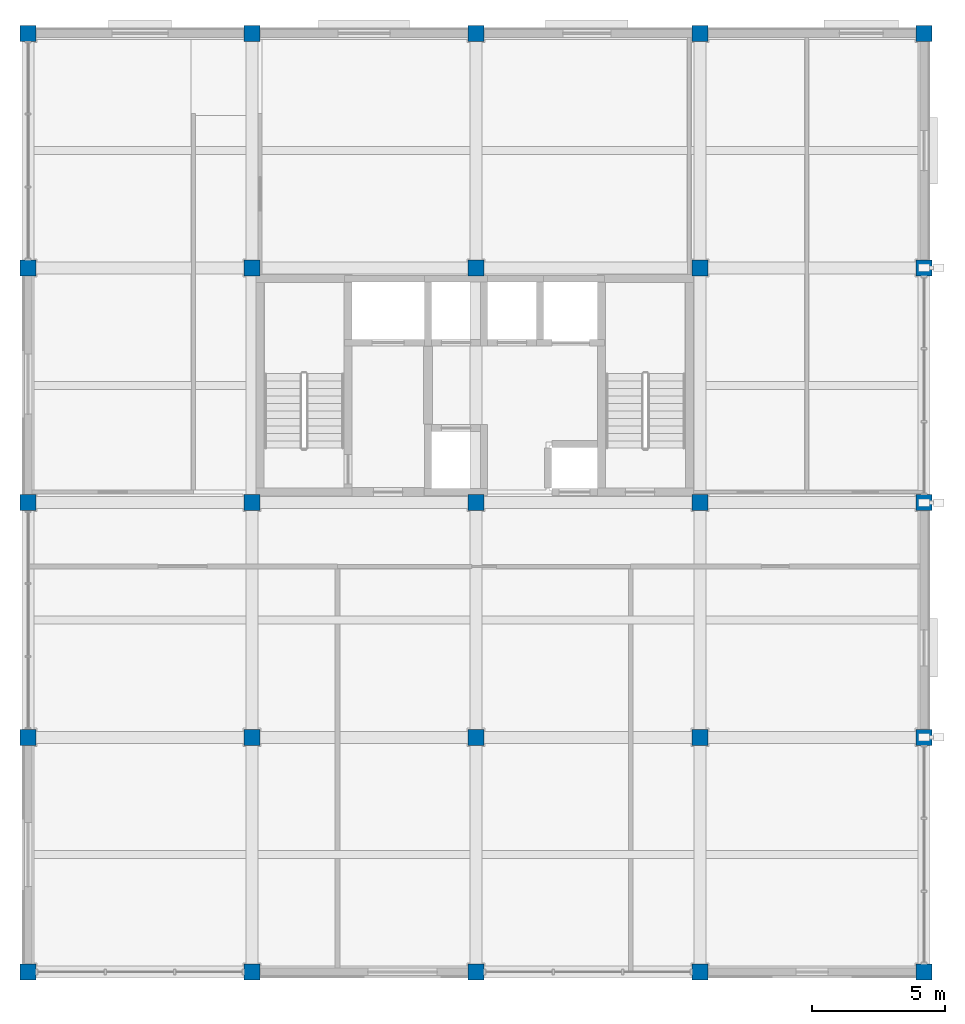
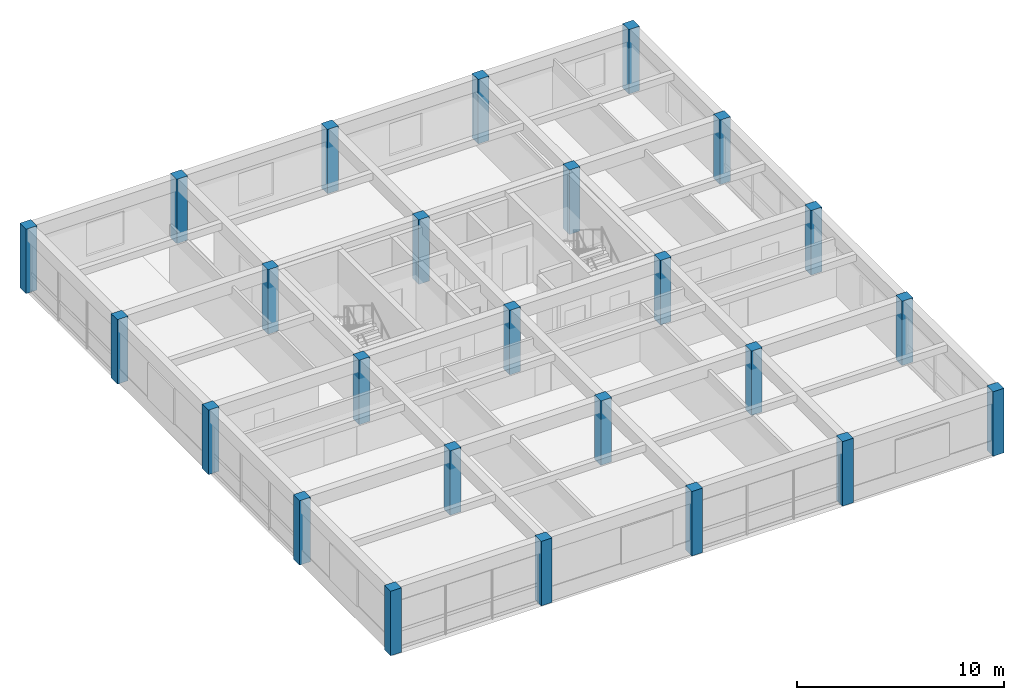
# One storey, part 1 of 12: 25 columns.
"""IFC4 building model written with IfcOpenShell, lengths in metres."""

from ifc_helpers import new_model, si_unit, direction, frame, origin, origin_2d, place, context, subcontext, project, spatial, rectangle, extrude, material, material_profile, profile_set, type_object, element, save


model = new_model("IFC4")

# Units and contexts
model_context = context("Model", 3, precision=1e-05, world=origin(), true_north=direction((0.0, 1.0)))
body_context = subcontext(model_context, "Body", "Model", "MODEL_VIEW")
ifc_project = project(units=[si_unit("LENGTHUNIT", "METRE"), si_unit("AREAUNIT", "SQUARE_METRE"), si_unit("VOLUMEUNIT", "CUBIC_METRE"), si_unit("PLANEANGLEUNIT", "RADIAN"), si_unit("MASSUNIT", "GRAM", prefix="KILO")], contexts=[model_context])

# Site, building, storey
site_placement = place(None, origin())
site = spatial("IfcSite", under=ifc_project, at=site_placement, CompositionType="ELEMENT")
building_placement = place(site_placement, origin())
building = spatial("IfcBuilding", under=site, at=building_placement, Name="Kemercrest Conservatory and Botanical Centre", CompositionType="ELEMENT")
storey_placement = place(building_placement, frame((0.0, 0.0, 52.199951171875)))
storey = spatial("IfcBuildingStorey", under=building, at=storey_placement, Name="L13", CompositionType="ELEMENT", Elevation=52.199951171875)

# Columns
ifc_material = material(Name="Concrete C40/50", Category="concrete")
ifc_material_profile = material_profile(ifc_material, rectangle(XDim=0.60009765625, YDim=0.60009765625, at=origin_2d()), Name="RC 600x600")
ifc_profile_set = profile_set([ifc_material_profile], Name="Concrete C40/50")
column_type = type_object("IfcColumnType", Name="C-RC60", PredefinedType="COLUMN", material=ifc_profile_set)
for number, where, z_axis, x_axis, name in (
    (1, (142.39990234375, 87.199951171875, 0.0), (0.0, 0.0, 1.0), (1.0, 0.0, 0.0), "Tower column C-RC60 17/K"),
    (2, (142.39990234375, 96.0, 0.0), (0.0, 0.0, 1.0), (1.0, 0.0, 0.0), "Tower column C-RC60 17/L"),
    (3, (142.39990234375, 104.800048828125, 0.0), (0.0, 0.0, 1.0), (1.0, 0.0, 0.0), "Tower column C-RC60 17/M"),
    (4, (142.39990234375, 113.60009765625, 0.0), (0.0, 0.0, 1.0), (1.0, 0.0, 0.0), "Tower column C-RC60 17/N"),
    (5, (142.39990234375, 122.39990234375, 0.0), (0.0, 0.0, 1.0), (1.0, 0.0, 0.0), "Tower column C-RC60 17/P"),
    (6, (150.800048828125, 87.199951171875, 0.0), (0.0, 0.0, 1.0), (1.0, 0.0, 0.0), "Tower column C-RC60 18/K"),
    (7, (150.800048828125, 96.0, 0.0), (0.0, 0.0, 1.0), (1.0, 0.0, 0.0), "Tower column C-RC60 18/L"),
    (8, (150.800048828125, 104.800048828125, 0.0), (0.0, 0.0, 1.0), (1.0, 0.0, 0.0), "Tower column C-RC60 18/M"),
    (9, (150.800048828125, 113.60009765625, 0.0), (0.0, 0.0, 1.0), (1.0, 0.0, 0.0), "Tower column C-RC60 18/N"),
    (10, (150.800048828125, 122.39990234375, 0.0), (0.0, 0.0, 1.0), (1.0, 0.0, 0.0), "Tower column C-RC60 18/P"),
    (11, (159.199951171875, 87.199951171875, 0.0), (0.0, 0.0, 1.0), (1.0, 0.0, 0.0), "Tower column C-RC60 19/K"),
    (12, (159.199951171875, 96.0, 0.0), (0.0, 0.0, 1.0), (1.0, 0.0, 0.0), "Tower column C-RC60 19/L"),
    (13, (159.199951171875, 104.800048828125, 0.0), (0.0, 0.0, 1.0), (1.0, 0.0, 0.0), "Tower column C-RC60 19/M"),
    (14, (159.199951171875, 113.60009765625, 0.0), (0.0, 0.0, 1.0), (1.0, 0.0, 0.0), "Tower column C-RC60 19/N"),
    (15, (159.199951171875, 122.39990234375, 0.0), (0.0, 0.0, 1.0), (1.0, 0.0, 0.0), "Tower column C-RC60 19/P"),
    (16, (167.60009765625, 87.199951171875, 0.0), (0.0, 0.0, 1.0), (1.0, 0.0, 0.0), "Tower column C-RC60 20/K"),
    (17, (167.60009765625, 96.0, 0.0), (0.0, 0.0, 1.0), (1.0, 0.0, 0.0), "Tower column C-RC60 20/L"),
    (18, (167.60009765625, 104.800048828125, 0.0), (0.0, 0.0, 1.0), (1.0, 0.0, 0.0), "Tower column C-RC60 20/M"),
    (19, (167.60009765625, 113.60009765625, 0.0), (0.0, 0.0, 1.0), (1.0, 0.0, 0.0), "Tower column C-RC60 20/N"),
    (20, (167.60009765625, 122.39990234375, 0.0), (0.0, 0.0, 1.0), (1.0, 0.0, 0.0), "Tower column C-RC60 20/P"),
    (21, (176.0, 87.199951171875, 0.0), (0.0, 0.0, 1.0), (1.0, 0.0, 0.0), "Tower column C-RC60 21/K"),
    (22, (176.0, 96.0, 0.0), (0.0, 0.0, 1.0), (1.0, 0.0, 0.0), "Tower column C-RC60 21/L"),
    (23, (176.0, 104.800048828125, 0.0), (0.0, 0.0, 1.0), (1.0, 0.0, 0.0), "Tower column C-RC60 21/M"),
    (24, (176.0, 113.60009765625, 0.0), (0.0, 0.0, 1.0), (1.0, 0.0, 0.0), "Tower column C-RC60 21/N"),
    (25, (176.0, 122.39990234375, 0.0), (0.0, 0.0, 1.0), (1.0, 0.0, 0.0), "Tower column C-RC60 21/P"),
):
    element("IfcColumn", number, at=place(storey_placement, frame(where, z_axis=z_axis, x_axis=x_axis)), inside=storey, type_object=column_type, Name=name, PredefinedType="COLUMN", context=body_context, shape_type="SweptSolid", body=[
        extrude(rectangle(XDim=0.60009765625, YDim=0.60009765625, at=origin_2d()), origin(), (0.0, 0.0, 1.0), 3.800048828125),
    ])

save(model, "model.ifc")
